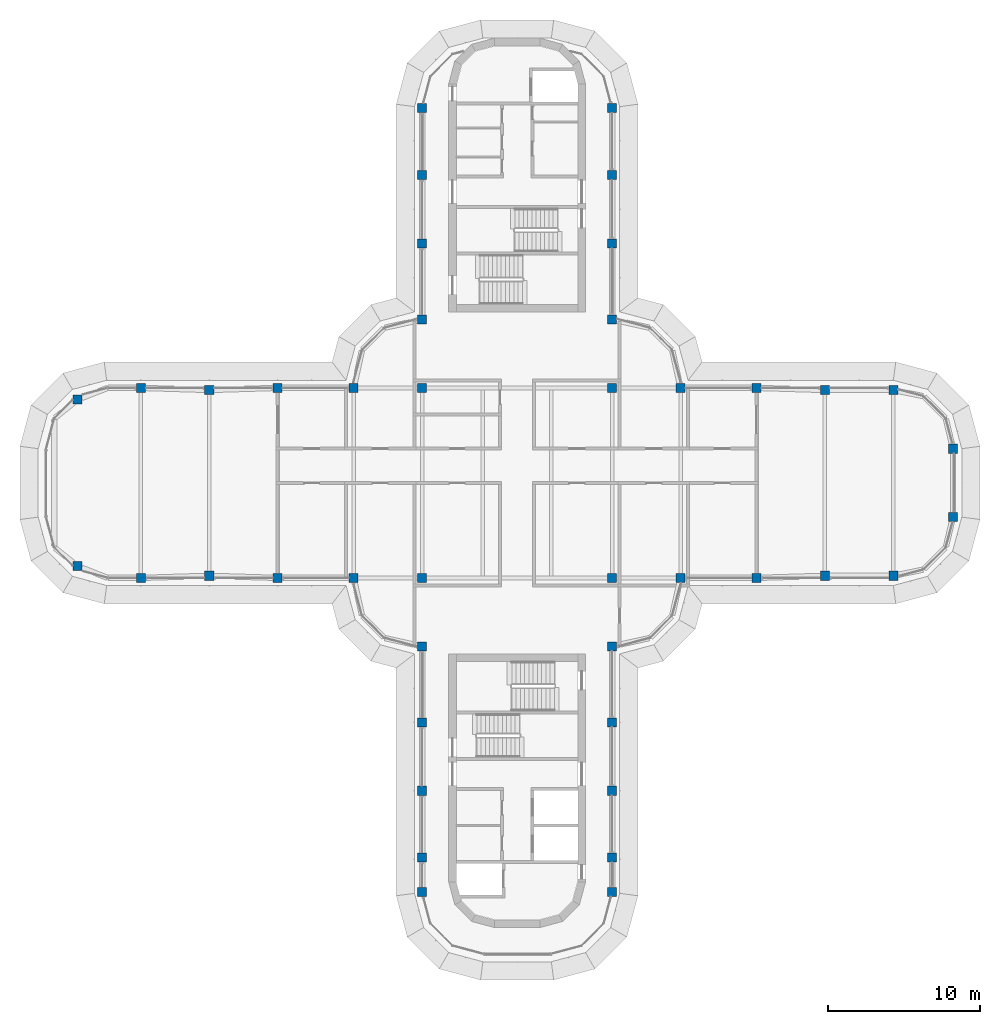
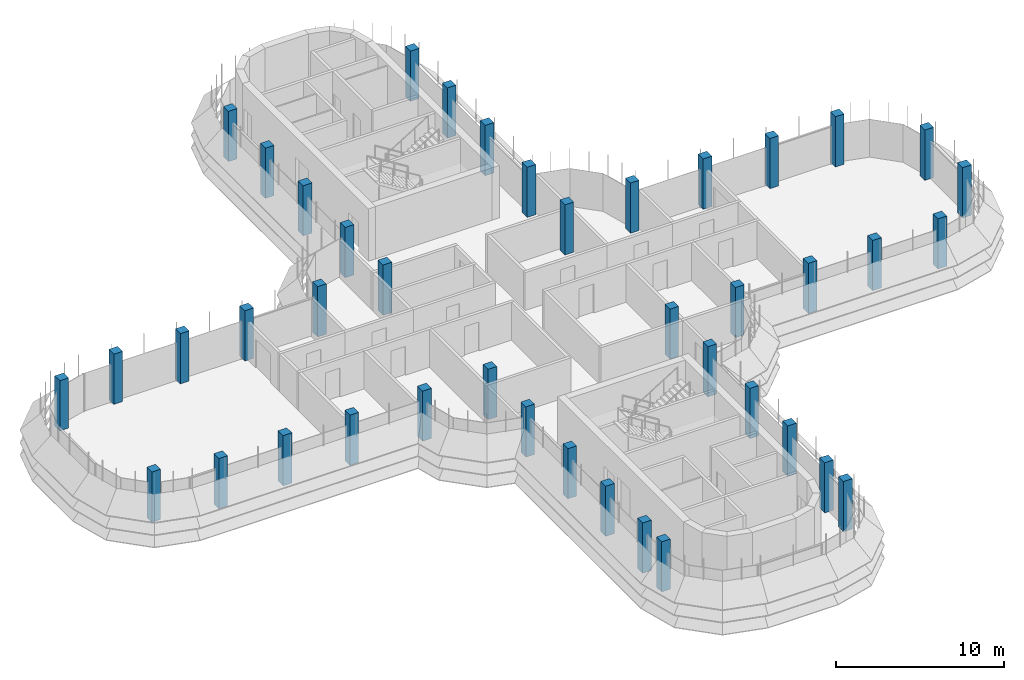
# One storey, part 1 of 19: 42 columns.
"""IFC4 building model written with IfcOpenShell, lengths in metres."""

from ifc_helpers import new_model, si_unit, direction, frame, origin, origin_2d, place, context, subcontext, project, spatial, rectangle, extrude, material, material_profile, profile_set, type_object, element, save


model = new_model("IFC4")

# Units and contexts
model_context = context("Model", 3, precision=1e-05, world=origin(), true_north=direction((0.0, 1.0)))
body_context = subcontext(model_context, "Body", "Model", "MODEL_VIEW")
ifc_project = project(units=[si_unit("LENGTHUNIT", "METRE"), si_unit("AREAUNIT", "SQUARE_METRE"), si_unit("VOLUMEUNIT", "CUBIC_METRE"), si_unit("PLANEANGLEUNIT", "RADIAN"), si_unit("MASSUNIT", "GRAM", prefix="KILO")], contexts=[model_context])

# Site, building, storey
site_placement = place(None, origin())
site = spatial("IfcSite", under=ifc_project, at=site_placement, CompositionType="ELEMENT")
building_placement = place(site_placement, origin())
building = spatial("IfcBuilding", under=site, at=building_placement, Name="Zarbagh Exchange Tower", CompositionType="ELEMENT")
storey_placement = place(building_placement, frame((0.0, 0.0, 261.199951171875)))
storey = spatial("IfcBuildingStorey", under=building, at=storey_placement, Name="L64", CompositionType="ELEMENT", Elevation=261.199951171875)

# Columns
ifc_material = material(Name="Concrete C40/50", Category="concrete")
ifc_material_profile = material_profile(ifc_material, rectangle(XDim=0.60009765625, YDim=0.60009765625, at=origin_2d()), Name="RC column 600 x 600 C40/50")
ifc_profile_set = profile_set([ifc_material_profile], Name="Concrete C40/50")
column_type = type_object("IfcColumnType", Name="RC column 600 x 600 C40/50", PredefinedType="COLUMN", material=ifc_profile_set)
for number, where, z_axis, x_axis, name in (
    (1, (-28.907958984375, -5.47509765625, 0.0), (0.0, 0.0, 1.0), (1.0, 0.0, 0.0), "C6 11/R"),
    (2, (-28.907958984375, 5.47509765625, 0.0), (0.0, 0.0, 1.0), (1.0, 0.0, 0.0), "C6 11/U"),
    (3, (-24.75, -6.25, 0.0), (0.0, 0.0, 1.0), (1.0, 0.0, 0.0), "C6 12/R"),
    (4, (-24.75, 6.25, 0.0), (0.0, 0.0, 1.0), (1.0, 0.0, 0.0), "C6 12/U"),
    (5, (-20.25, -6.110107421875, 0.0), (0.0, 0.0, 1.0), (1.0, 0.0, 0.0), "C6 13/R"),
    (6, (-20.25, 6.110107421875, 0.0), (0.0, 0.0, 1.0), (1.0, 0.0, 0.0), "C6 13/U"),
    (7, (-15.75, -6.25, 0.0), (0.0, 0.0, 1.0), (1.0, 0.0, 0.0), "C6 14/R"),
    (8, (-15.75, 6.25, 0.0), (0.0, 0.0, 1.0), (1.0, 0.0, 0.0), "C6 14/U"),
    (9, (-10.75, -6.25, 0.0), (0.0, 0.0, 1.0), (1.0, 0.0, 0.0), "C6 15/R"),
    (10, (-10.75, 6.25, 0.0), (0.0, 0.0, 1.0), (1.0, 0.0, 0.0), "C6 15/U"),
    (11, (-6.25, -26.89990234375, 0.0), (0.0, 0.0, 1.0), (1.0, 0.0, 0.0), "C6 16/L"),
    (12, (-6.25, -24.64990234375, 0.0), (0.0, 0.0, 1.0), (1.0, 0.0, 0.0), "C6 16/M"),
    (13, (-6.25, -20.25, 0.0), (0.0, 0.0, 1.0), (1.0, 0.0, 0.0), "C6 16/N"),
    (14, (-6.25, -15.75, 0.0), (0.0, 0.0, 1.0), (1.0, 0.0, 0.0), "C6 16/P"),
    (15, (-6.25, -10.75, 0.0), (0.0, 0.0, 1.0), (1.0, 0.0, 0.0), "C6 16/Q"),
    (16, (-6.25, -6.25, 0.0), (0.0, 0.0, 1.0), (1.0, 0.0, 0.0), "C6 16/R"),
    (17, (-6.25, 6.25, 0.0), (0.0, 0.0, 1.0), (1.0, 0.0, 0.0), "C6 16/U"),
    (18, (-6.25, 10.75, 0.0), (0.0, 0.0, 1.0), (1.0, 0.0, 0.0), "C6 16/V"),
    (19, (-6.25, 15.75, 0.0), (0.0, 0.0, 1.0), (1.0, 0.0, 0.0), "C6 16/W"),
    (20, (-6.25, 20.25, 0.0), (0.0, 0.0, 1.0), (1.0, 0.0, 0.0), "C6 16/X"),
    (21, (-6.25, 24.64990234375, 0.0), (0.0, 0.0, 1.0), (1.0, 0.0, 0.0), "C6 16/Y"),
    (22, (6.25, -26.89990234375, 0.0), (0.0, 0.0, 1.0), (1.0, 0.0, 0.0), "C6 19/L"),
    (23, (6.25, -24.64990234375, 0.0), (0.0, 0.0, 1.0), (1.0, 0.0, 0.0), "C6 19/M"),
    (24, (6.25, -20.25, 0.0), (0.0, 0.0, 1.0), (1.0, 0.0, 0.0), "C6 19/N"),
    (25, (6.25, -15.75, 0.0), (0.0, 0.0, 1.0), (1.0, 0.0, 0.0), "C6 19/P"),
    (26, (6.25, -10.75, 0.0), (0.0, 0.0, 1.0), (1.0, 0.0, 0.0), "C6 19/Q"),
    (27, (6.25, -6.25, 0.0), (0.0, 0.0, 1.0), (1.0, 0.0, 0.0), "C6 19/R"),
    (28, (6.25, 6.25, 0.0), (0.0, 0.0, 1.0), (1.0, 0.0, 0.0), "C6 19/U"),
    (29, (6.25, 10.75, 0.0), (0.0, 0.0, 1.0), (1.0, 0.0, 0.0), "C6 19/V"),
    (30, (6.25, 15.75, 0.0), (0.0, 0.0, 1.0), (1.0, 0.0, 0.0), "C6 19/W"),
    (31, (6.25, 20.25, 0.0), (0.0, 0.0, 1.0), (1.0, 0.0, 0.0), "C6 19/X"),
    (32, (6.25, 24.64990234375, 0.0), (0.0, 0.0, 1.0), (1.0, 0.0, 0.0), "C6 19/Y"),
    (33, (10.75, -6.25, 0.0), (0.0, 0.0, 1.0), (1.0, 0.0, 0.0), "C6 20/R"),
    (34, (10.75, 6.25, 0.0), (0.0, 0.0, 1.0), (1.0, 0.0, 0.0), "C6 20/U"),
    (35, (15.75, -6.25, 0.0), (0.0, 0.0, 1.0), (1.0, 0.0, 0.0), "C6 21/R"),
    (36, (15.75, 6.25, 0.0), (0.0, 0.0, 1.0), (1.0, 0.0, 0.0), "C6 21/U"),
    (37, (20.25, -6.110107421875, 0.0), (0.0, 0.0, 1.0), (1.0, 0.0, 0.0), "C6 22/R"),
    (38, (20.25, 6.110107421875, 0.0), (0.0, 0.0, 1.0), (1.0, 0.0, 0.0), "C6 22/U"),
    (39, (24.75, -6.110107421875, 0.0), (0.0, 0.0, 1.0), (1.0, 0.0, 0.0), "C6 23/R"),
    (40, (24.75, 6.110107421875, 0.0), (0.0, 0.0, 1.0), (1.0, 0.0, 0.0), "C6 23/U"),
    (41, (28.669921875, -2.25, 0.0), (0.0, 0.0, 1.0), (1.0, 0.0, 0.0), "C6 24/S"),
    (42, (28.669921875, 2.25, 0.0), (0.0, 0.0, 1.0), (1.0, 0.0, 0.0), "C6 24/T"),
):
    element("IfcColumn", number, at=place(storey_placement, frame(where, z_axis=z_axis, x_axis=x_axis)), inside=storey, type_object=column_type, Name=name, PredefinedType="COLUMN", context=body_context, shape_type="SweptSolid", body=[
        extrude(rectangle(XDim=0.60009765625, YDim=0.60009765625, at=origin_2d()), origin(), (0.0, 0.0, 1.0), 3.650146484375),
    ])

save(model, "model.ifc")
